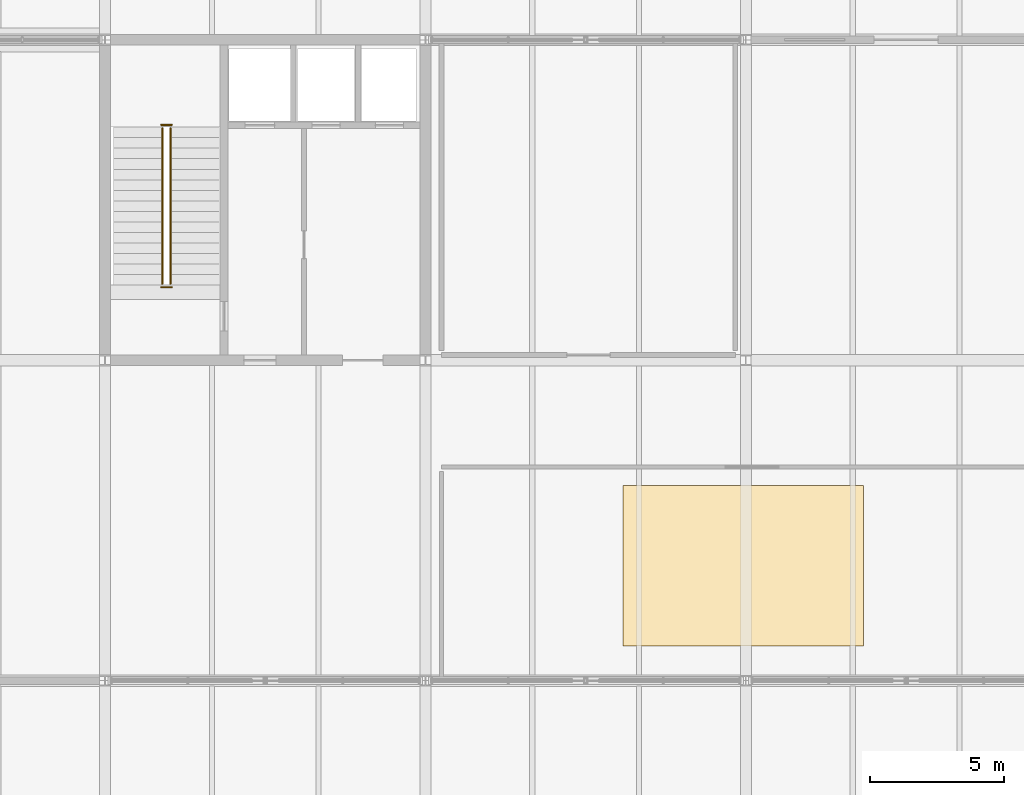
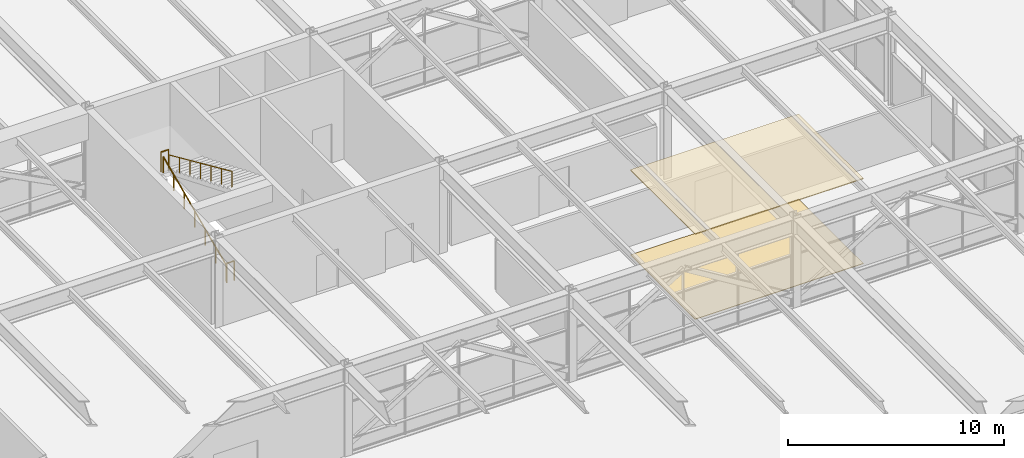
# One storey, part 41 of 42: 4 railings, 2 coverings.
"""IFC4 building model written with IfcOpenShell, lengths in metres."""

from ifc_helpers import new_model, si_unit, direction, frame, origin, origin_2d, place, context, subcontext, project, spatial, rectangle, circle, extrude, material, layer, layer_set, type_object, element, save


model = new_model("IFC4")

# Units and contexts
model_context = context("Model", 3, precision=1e-05, world=origin(), true_north=direction((0.0, 1.0)))
body_context = subcontext(model_context, "Body", "Model", "MODEL_VIEW")
ifc_project = project(units=[si_unit("LENGTHUNIT", "METRE"), si_unit("AREAUNIT", "SQUARE_METRE"), si_unit("VOLUMEUNIT", "CUBIC_METRE"), si_unit("PLANEANGLEUNIT", "RADIAN"), si_unit("MASSUNIT", "GRAM", prefix="KILO")], contexts=[model_context])

# Site, building, storey
site_placement = place(None, origin())
site = spatial("IfcSite", under=ifc_project, at=site_placement, CompositionType="ELEMENT")
building_placement = place(site_placement, origin())
building = spatial("IfcBuilding", under=site, at=building_placement, Name="Girod Span Mobility Hub", CompositionType="ELEMENT")
storey_placement = place(building_placement, frame((0.0, 0.0, 32.39990234375)))
storey = spatial("IfcBuildingStorey", under=building, at=storey_placement, Name="L08", CompositionType="ELEMENT", Elevation=32.39990234375)

# Coverings
ifc_material_1 = material(Name="Perforated Mineral-Fibre Acoustic Ceiling Tile", Category="mineral")
ifc_layer_1 = layer(ifc_material_1, 0.044921875)
ifc_layer_set_1 = layer_set([ifc_layer_1], Name="Perforated Mineral-Fibre Acoustic Ceiling Tile")
covering_type_1 = type_object("IfcCoveringType", Name="COV-CLG-900X600", PredefinedType="CEILING", material=ifc_layer_set_1)
covering_1_placement = place(storey_placement, frame((131.89990234375, 49.300048828125, 4.795166015625), z_axis=(0.0, 0.0, 1.0), x_axis=(1.0, 0.0, 0.0)))
element("IfcCovering", 1, at=covering_1_placement, inside=storey, type_object=covering_type_1, Name="Conference Room Sports Pavilion Acoustic Ceiling", PredefinedType="CEILING", context=body_context, shape_type="SweptSolid", body=[
    extrude(rectangle(XDim=9.0, YDim=6.0, at=origin_2d()), origin(), (0.0, 0.0, 1.0), 0.044921875),
])
ifc_material_2 = material(Name="Epoxy Terrazzo and Raised Access Flooring", Category="polymer")
ifc_layer_2 = layer(ifc_material_2, 0.030029296875)
ifc_layer_set_2 = layer_set([ifc_layer_2], Name="Epoxy Terrazzo and Raised Access Flooring")
covering_type_2 = type_object("IfcCoveringType", Name="COV-FLR-900X600", PredefinedType="FLOORING", material=ifc_layer_set_2)
covering_2_placement = place(storey_placement, frame((131.89990234375, 49.300048828125, 0.0), z_axis=(0.0, 0.0, 1.0), x_axis=(1.0, 0.0, 0.0)))
element("IfcCovering", 2, at=covering_2_placement, inside=storey, type_object=covering_type_2, Name="Conference Room Sports Pavilion Floor Finish", PredefinedType="FLOORING", context=body_context, shape_type="SweptSolid", body=[
    extrude(rectangle(XDim=9.0, YDim=6.0, at=origin_2d()), origin(), (0.0, 0.0, 1.0), 0.030029296875),
])

# Railings
ifc_material_3 = material(Name="Painted Galvanised Steel", Category="steel")
ifc_layer_3 = layer(ifc_material_3, 0.06494140625)
ifc_layer_set_3 = layer_set([ifc_layer_3], Name="Painted Galvanised Steel")
railing_type_1 = type_object("IfcRailingType", Name="RL-GRD-1120", PredefinedType="GUARDRAIL", material=ifc_layer_set_3)
for number, where, name in (
    (3, (110.10009765625, 65.81005859375, 2.60009765625), "Stair ST-2 Half-Landing Well Guard L08"),
    (4, (110.10009765625, 59.72998046875, 0.0), "Stair ST-2 Landing Well Guard L08"),
):
    element("IfcRailing", number, at=place(storey_placement, frame(where)), inside=storey, type_object=railing_type_1, Name=name, PredefinedType="GUARDRAIL", context=body_context, shape_type="SweptSolid", body=[
        extrude(circle(Radius=0.02392578125, at=origin_2d()), frame((0.0, 0.0, 1.09619140625), z_axis=(1.0, 0.0, 0.0), x_axis=(0.0, 1.0, 0.0)), (0.0, 0.0, 1.0), 0.39990234375),
        extrude(circle(Radius=0.02099609375, at=origin_2d()), origin(), (0.0, 0.0, 1.0), 1.072021484375),
        extrude(circle(Radius=0.02099609375, at=origin_2d()), frame((0.39990234375, 0.0, 0.0)), (0.0, 0.0, 1.0), 1.072021484375),
    ])
ifc_material_4 = material(Name="Painted Galvanised Steel", Category="steel")
ifc_layer_4 = layer(ifc_material_4, 0.050048828125)
ifc_layer_set_4 = layer_set([ifc_layer_4], Name="Painted Galvanised Steel")
railing_type_2 = type_object("IfcRailingType", Name="RL-HR-920", PredefinedType="HANDRAIL", material=ifc_layer_set_4)
railing_1_placement = place(storey_placement, frame((110.14990234375, 59.860107421875, 0.0)))
element("IfcRailing", 5, at=railing_1_placement, inside=storey, type_object=railing_type_2, Name="Stair ST-2 Flight 1 Handrail L08", PredefinedType="HANDRAIL", context=body_context, shape_type="SweptSolid", body=[
    extrude(circle(Radius=0.02392578125, at=origin_2d()), frame((0.0, 0.0, 0.89599609375), z_axis=(0.0, 0.913023278931, 0.407907455349), x_axis=(-1.0, 0.0, 0.0)), (0.0, 0.0, 1.0), 6.374267578125),
    extrude(circle(Radius=0.02099609375, at=origin_2d()), origin(), (0.0, 0.0, 1.0), 0.871826171875),
    extrude(circle(Radius=0.02099609375, at=origin_2d()), frame((0.0, 0.969970703125, 0.433349609375)), (0.0, 0.0, 1.0), 0.871826171875),
    extrude(circle(Radius=0.02099609375, at=origin_2d()), frame((0.0, 1.93994140625, 0.86669921875)), (0.0, 0.0, 1.0), 0.871826171875),
    extrude(circle(Radius=0.02099609375, at=origin_2d()), frame((0.0, 2.909912109375, 1.300048828125)), (0.0, 0.0, 1.0), 0.871826171875),
    extrude(circle(Radius=0.02099609375, at=origin_2d()), frame((0.0, 3.8798828125, 1.7333984375)), (0.0, 0.0, 1.0), 0.871826171875),
    extrude(circle(Radius=0.02099609375, at=origin_2d()), frame((0.0, 4.849853515625, 2.166748046875)), (0.0, 0.0, 1.0), 0.871826171875),
    extrude(circle(Radius=0.02099609375, at=origin_2d()), frame((0.0, 5.81982421875, 2.60009765625)), (0.0, 0.0, 1.0), 0.871826171875),
])
railing_2_placement = place(storey_placement, frame((110.449951171875, 65.679931640625, 2.60009765625)))
element("IfcRailing", 6, at=railing_2_placement, inside=storey, type_object=railing_type_2, Name="Stair ST-2 Flight 2 Handrail L08", PredefinedType="HANDRAIL", context=body_context, shape_type="SweptSolid", body=[
    extrude(circle(Radius=0.02392578125, at=origin_2d()), frame((0.0, 0.0, 0.89599609375), z_axis=(0.0, -0.913023278931, 0.407907455349), x_axis=(1.0, 0.0, 0.0)), (0.0, 0.0, 1.0), 6.374267578125),
    extrude(circle(Radius=0.02099609375, at=origin_2d()), origin(), (0.0, 0.0, 1.0), 0.871826171875),
    extrude(circle(Radius=0.02099609375, at=origin_2d()), frame((0.0, -0.969970703125, 0.433349609375)), (0.0, 0.0, 1.0), 0.871826171875),
    extrude(circle(Radius=0.02099609375, at=origin_2d()), frame((0.0, -1.93994140625, 0.86669921875)), (0.0, 0.0, 1.0), 0.871826171875),
    extrude(circle(Radius=0.02099609375, at=origin_2d()), frame((0.0, -2.909912109375, 1.300048828125)), (0.0, 0.0, 1.0), 0.871826171875),
    extrude(circle(Radius=0.02099609375, at=origin_2d()), frame((0.0, -3.8798828125, 1.7333984375)), (0.0, 0.0, 1.0), 0.871826171875),
    extrude(circle(Radius=0.02099609375, at=origin_2d()), frame((0.0, -4.849853515625, 2.166748046875)), (0.0, 0.0, 1.0), 0.871826171875),
    extrude(circle(Radius=0.02099609375, at=origin_2d()), frame((0.0, -5.81982421875, 2.60009765625)), (0.0, 0.0, 1.0), 0.871826171875),
])

save(model, "model.ifc")
